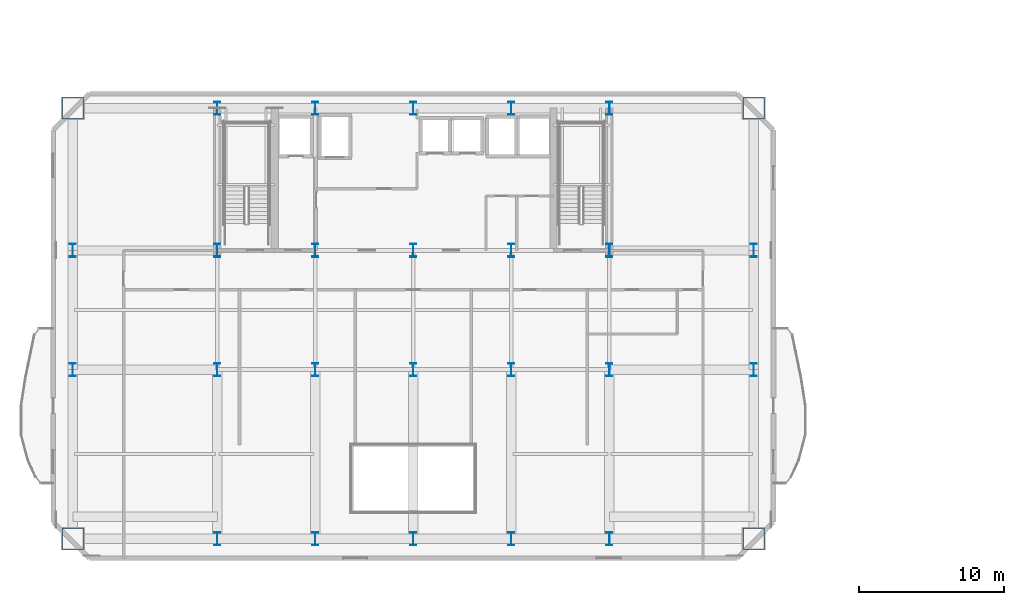
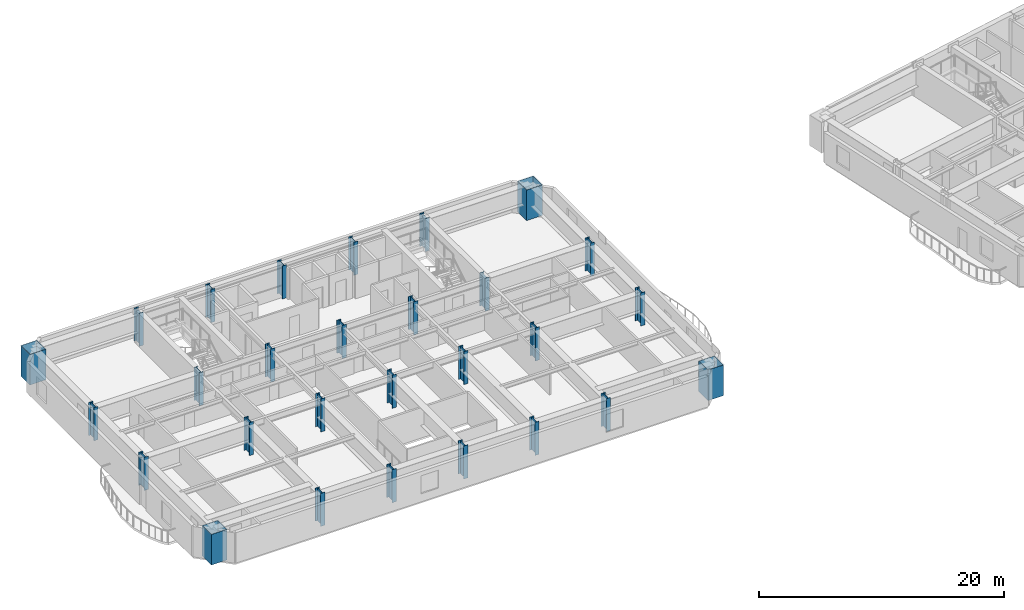
# One storey, part 1 of 16: 28 columns.
"""IFC4 building model written with IfcOpenShell, lengths in metres."""

from ifc_helpers import new_model, si_unit, direction, frame, origin, origin_2d, place, context, subcontext, project, spatial, hollow_rectangle, i_section, extrude, material, material_profile, profile_set, type_object, element, save


model = new_model("IFC4")

# Units and contexts
model_context = context("Model", 3, precision=1e-05, world=origin(), true_north=direction((0.0, 1.0)))
body_context = subcontext(model_context, "Body", "Model", "MODEL_VIEW")
ifc_project = project(units=[si_unit("LENGTHUNIT", "METRE"), si_unit("AREAUNIT", "SQUARE_METRE"), si_unit("VOLUMEUNIT", "CUBIC_METRE"), si_unit("PLANEANGLEUNIT", "RADIAN"), si_unit("MASSUNIT", "GRAM", prefix="KILO")], contexts=[model_context])

# Site, building, storey
site_placement = place(None, origin())
site = spatial("IfcSite", under=ifc_project, at=site_placement, CompositionType="ELEMENT")
building_placement = place(site_placement, origin())
building = spatial("IfcBuilding", under=site, at=building_placement, Name="Haevon Station Towers", CompositionType="ELEMENT")
storey_placement = place(building_placement, frame((0.0, 0.0, 90.0)))
storey = spatial("IfcBuildingStorey", under=building, at=storey_placement, Name="L23", CompositionType="ELEMENT", Elevation=90.0)

# Columns
ifc_material = material(Name="Steel S460", Category="steel")
ifc_material_profile_1 = material_profile(ifc_material, hollow_rectangle(XDim=1.5, YDim=1.5, WallThickness=0.0400390625, at=origin_2d()), Name="BOX-1500x1500x40")
ifc_profile_set_1 = profile_set([ifc_material_profile_1], Name="Steel S460")
column_type_1 = type_object("IfcColumnType", Name="COL-MC2", PredefinedType="COLUMN", material=ifc_profile_set_1)
for number, where, z_axis, x_axis, name in (
    (1, (14.050048828125, 18.35009765625, 0.0), (0.0, 0.0, 1.0), (1.0, 0.0, 0.0), "COL-T1-L23-01-01"),
    (2, (14.050048828125, 48.0, 0.0), (0.0, 0.0, 1.0), (1.0, 0.0, 0.0), "COL-T1-L23-01-04"),
    (3, (60.949951171875, 18.35009765625, 0.0), (0.0, 0.0, 1.0), (1.0, 0.0, 0.0), "COL-T1-L23-07-01"),
    (4, (60.949951171875, 48.0, 0.0), (0.0, 0.0, 1.0), (1.0, 0.0, 0.0), "COL-T1-L23-07-04"),
):
    element("IfcColumn", number, at=place(storey_placement, frame(where, z_axis=z_axis, x_axis=x_axis)), inside=storey, type_object=column_type_1, Name=name, PredefinedType="COLUMN", context=body_context, shape_type="SweptSolid", body=[
        extrude(hollow_rectangle(XDim=1.5, YDim=1.5, WallThickness=0.0400390625, at=origin_2d()), origin(), (0.0, 0.0, 1.0), 3.050048828125),
    ])
ifc_material_profile_2 = material_profile(ifc_material, i_section(OverallWidth=0.39990234375, OverallDepth=0.89990234375, WebThickness=0.02001953125, FlangeThickness=0.035888671875, at=origin_2d()), Name="H-900x400x20x36")
ifc_profile_set_2 = profile_set([ifc_material_profile_2], Name="Steel S460")
column_type_2 = type_object("IfcColumnType", Name="COL-TW1", PredefinedType="COLUMN", material=ifc_profile_set_2)
for number, where, z_axis, x_axis, name in (
    (5, (14.050048828125, 30.0, 0.0), (0.0, 0.0, 1.0), (1.0, 0.0, 0.0), "COL-T1-L23-01-02"),
    (6, (14.050048828125, 38.199951171875, 0.0), (0.0, 0.0, 1.0), (1.0, 0.0, 0.0), "COL-T1-L23-01-03"),
    (7, (24.0, 18.35009765625, 0.0), (0.0, 0.0, 1.0), (1.0, 0.0, 0.0), "COL-T1-L23-02-01"),
    (8, (24.0, 30.0, 0.0), (0.0, 0.0, 1.0), (1.0, 0.0, 0.0), "COL-T1-L23-02-02"),
    (9, (24.0, 38.199951171875, 0.0), (0.0, 0.0, 1.0), (1.0, 0.0, 0.0), "COL-T1-L23-02-03"),
    (10, (24.0, 48.0, 0.0), (0.0, 0.0, 1.0), (1.0, 0.0, 0.0), "COL-T1-L23-02-04"),
    (11, (30.75, 18.35009765625, 0.0), (0.0, 0.0, 1.0), (1.0, 0.0, 0.0), "COL-T1-L23-03-01"),
    (12, (30.75, 30.0, 0.0), (0.0, 0.0, 1.0), (1.0, 0.0, 0.0), "COL-T1-L23-03-02"),
    (13, (30.75, 38.199951171875, 0.0), (0.0, 0.0, 1.0), (1.0, 0.0, 0.0), "COL-T1-L23-03-03"),
    (14, (30.75, 48.0, 0.0), (0.0, 0.0, 1.0), (1.0, 0.0, 0.0), "COL-T1-L23-03-04"),
    (15, (37.5, 18.35009765625, 0.0), (0.0, 0.0, 1.0), (1.0, 0.0, 0.0), "COL-T1-L23-04-01"),
    (16, (37.5, 30.0, 0.0), (0.0, 0.0, 1.0), (1.0, 0.0, 0.0), "COL-T1-L23-04-02"),
    (17, (37.5, 38.199951171875, 0.0), (0.0, 0.0, 1.0), (1.0, 0.0, 0.0), "COL-T1-L23-04-03"),
    (18, (37.5, 48.0, 0.0), (0.0, 0.0, 1.0), (1.0, 0.0, 0.0), "COL-T1-L23-04-04"),
    (19, (44.25, 18.35009765625, 0.0), (0.0, 0.0, 1.0), (1.0, 0.0, 0.0), "COL-T1-L23-05-01"),
    (20, (44.25, 30.0, 0.0), (0.0, 0.0, 1.0), (1.0, 0.0, 0.0), "COL-T1-L23-05-02"),
    (21, (44.25, 38.199951171875, 0.0), (0.0, 0.0, 1.0), (1.0, 0.0, 0.0), "COL-T1-L23-05-03"),
    (22, (44.25, 48.0, 0.0), (0.0, 0.0, 1.0), (1.0, 0.0, 0.0), "COL-T1-L23-05-04"),
    (23, (51.0, 18.35009765625, 0.0), (0.0, 0.0, 1.0), (1.0, 0.0, 0.0), "COL-T1-L23-06-01"),
    (24, (51.0, 30.0, 0.0), (0.0, 0.0, 1.0), (1.0, 0.0, 0.0), "COL-T1-L23-06-02"),
    (25, (51.0, 38.199951171875, 0.0), (0.0, 0.0, 1.0), (1.0, 0.0, 0.0), "COL-T1-L23-06-03"),
    (26, (51.0, 48.0, 0.0), (0.0, 0.0, 1.0), (1.0, 0.0, 0.0), "COL-T1-L23-06-04"),
    (27, (60.949951171875, 30.0, 0.0), (0.0, 0.0, 1.0), (1.0, 0.0, 0.0), "COL-T1-L23-07-02"),
    (28, (60.949951171875, 38.199951171875, 0.0), (0.0, 0.0, 1.0), (1.0, 0.0, 0.0), "COL-T1-L23-07-03"),
):
    element("IfcColumn", number, at=place(storey_placement, frame(where, z_axis=z_axis, x_axis=x_axis)), inside=storey, type_object=column_type_2, Name=name, PredefinedType="COLUMN", context=body_context, shape_type="SweptSolid", body=[
        extrude(i_section(OverallWidth=0.39990234375, OverallDepth=0.89990234375, WebThickness=0.02001953125, FlangeThickness=0.035888671875, at=origin_2d()), origin(), (0.0, 0.0, 1.0), 3.300048828125),
    ])

save(model, "model.ifc")
